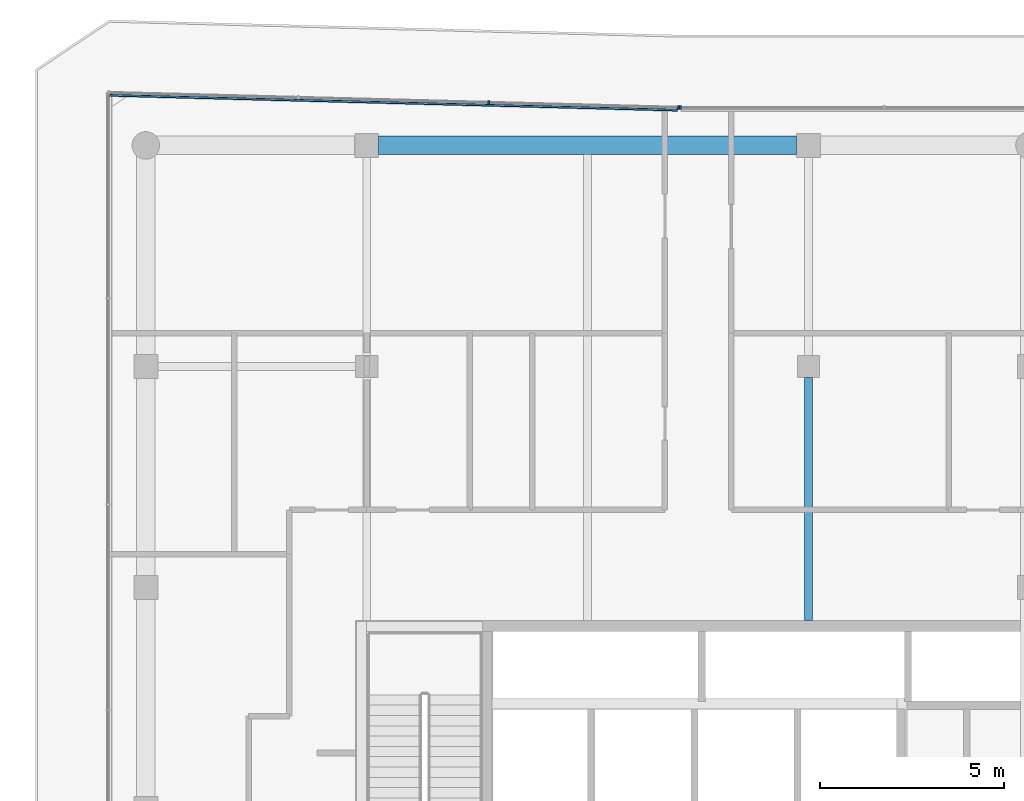
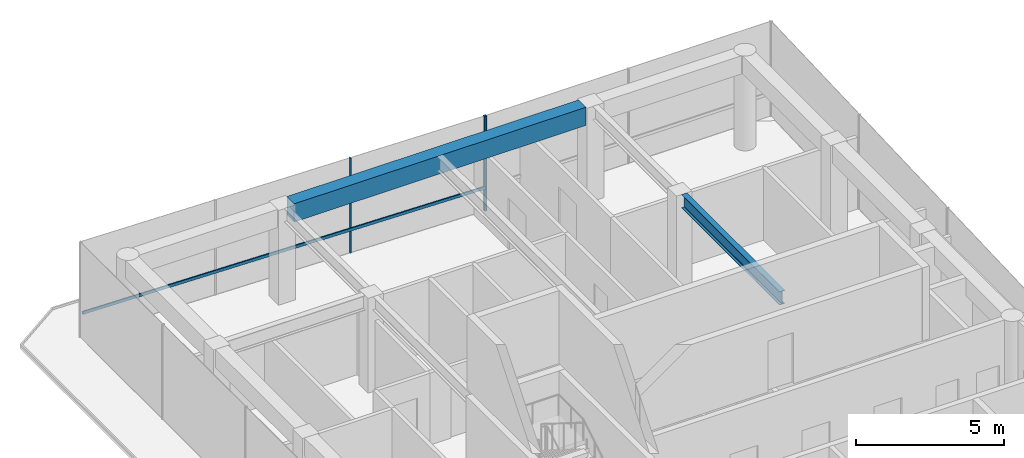
# One storey, part 8 of 15: 4 members, 2 beams, 2 elements without a shape of their own.
"""IFC4 building model written with IfcOpenShell, lengths in metres."""

from ifc_helpers import new_model, si_unit, direction, frame, origin, origin_2d, place, context, subcontext, project, spatial, rectangle, i_section, extrude, material, layer, layer_set, material_profile, profile_set, type_object, element, aggregate, save


model = new_model("IFC4")

# Units and contexts
model_context = context("Model", 3, precision=1e-05, world=origin(), true_north=direction((0.0, 1.0)))
body_context = subcontext(model_context, "Body", "Model", "MODEL_VIEW")
ifc_project = project(units=[si_unit("LENGTHUNIT", "METRE"), si_unit("AREAUNIT", "SQUARE_METRE"), si_unit("VOLUMEUNIT", "CUBIC_METRE"), si_unit("PLANEANGLEUNIT", "RADIAN"), si_unit("MASSUNIT", "GRAM", prefix="KILO")], contexts=[model_context])

# Site, building, storey
site_placement = place(None, origin())
site = spatial("IfcSite", under=ifc_project, at=site_placement, CompositionType="ELEMENT")
building_placement = place(site_placement, origin())
building = spatial("IfcBuilding", under=site, at=building_placement, Name="Welwitschia Terrace Campus", CompositionType="ELEMENT")
storey_placement = place(building_placement, frame((0.0, 0.0, 339.800048828125)))
storey = spatial("IfcBuildingStorey", under=building, at=storey_placement, Name="L76", CompositionType="ELEMENT", Elevation=339.800048828125)

# Beam
ifc_material_1 = material(Name="Steel S355", Category="steel")
ifc_material_profile_1 = material_profile(ifc_material_1, i_section(OverallWidth=0.2099609375, OverallDepth=0.550048828125, WebThickness=0.010986328125, FlangeThickness=0.01708984375, FilletRadius=0.02392578125, at=origin_2d()))
ifc_profile_set_1 = profile_set([ifc_material_profile_1], Name="Steel S355")
beam_type_1 = type_object("IfcBeamType", Name="Interior girder IPE 550", PredefinedType="BEAM", material=ifc_profile_set_1)
beam_1_placement = place(storey_placement, frame((18.0, 25.10107421875, 3.625), z_axis=(0.0, 1.0, 0.0), x_axis=(-1.0, 0.0, 0.0)))
element("IfcBeam", 1, at=beam_1_placement, inside=storey, type_object=beam_type_1, Name="Girder GB7", PredefinedType="BEAM", context=body_context, shape_type="SweptSolid", body=[
    extrude(i_section(OverallWidth=0.2099609375, OverallDepth=0.550048828125, WebThickness=0.010986328125, FlangeThickness=0.01708984375, FilletRadius=0.02392578125, at=origin_2d()), origin(), (0.0, 0.0, 1.0), 6.598388671875),
])

# Curtain wall, member
ifc_material_2 = material(Name="Bronze anodised aluminium", Category="aluminium")
ifc_layer = layer(ifc_material_2, 0.10009765625)
ifc_layer_set = layer_set([ifc_layer], Name="Bronze anodised aluminium")
curtain_wall_type = type_object("IfcCurtainWallType", Name="Curtain wall CW5 crown 6000", PredefinedType="NOTDEFINED", material=ifc_layer_set)
curtain_wall_1_placement = place(storey_placement, origin())
curtain_wall_1 = element("IfcCurtainWall", 2, at=curtain_wall_1_placement, inside=storey, type_object=curtain_wall_type, Name="CW L76.8.0", PredefinedType="NOTDEFINED")
ifc_material_3 = material(Name="Bronze anodised aluminium", Category="aluminium")
ifc_material_profile_2 = material_profile(ifc_material_3, rectangle(XDim=0.10009765625, YDim=0.050048828125, at=origin_2d()))
ifc_profile_set_2 = profile_set([ifc_material_profile_2], Name="Bronze anodised aluminium")
member_type_1 = type_object("IfcMemberType", Name="Mullion 50x100", PredefinedType="MULLION", material=ifc_profile_set_2)
member_1_placement = place(storey_placement, frame((14.51513671875, 39.030029296875, 0.0), z_axis=(0.0, 0.0, 1.0), x_axis=(0.0, -1.0, 0.0)))
member_1 = element("IfcMember", 3, at=member_1_placement, type_object=member_type_1, Name="Mullion L76.8.0.2", PredefinedType="MULLION", context=body_context, shape_type="SweptSolid", body=[
    extrude(rectangle(XDim=0.10009765625, YDim=0.050048828125, at=origin_2d()), origin(), (0.0, 0.0, 1.0), 3.89990234375),
])
aggregate(curtain_wall_1, [member_1])

# Curtain wall, members
curtain_wall_2_placement = place(storey_placement, origin())
curtain_wall_2 = element("IfcCurtainWall", 4, at=curtain_wall_2_placement, inside=storey, type_object=curtain_wall_type, Name="CW L76.9.0", PredefinedType="NOTDEFINED")
member_2_placement = place(storey_placement, frame((14.465087890625, 39.03076171875, 0.0), z_axis=(0.0, 0.0, 1.0), x_axis=(-0.026176948308, -0.999657324976, 0.0)))
member_2 = element("IfcMember", 5, at=member_2_placement, type_object=member_type_1, Name="Mullion L76.9.0.0", PredefinedType="MULLION", context=body_context, shape_type="SweptSolid", body=[
    extrude(rectangle(XDim=0.10009765625, YDim=0.050048828125, at=origin_2d()), origin(), (0.0, 0.0, 1.0), 3.89990234375),
])
member_3_placement = place(storey_placement, frame((9.316650390625, 39.16552734375, 0.0), z_axis=(0.0, 0.0, 1.0), x_axis=(-0.026176948308, -0.999657324976, 0.0)))
member_3 = element("IfcMember", 6, at=member_3_placement, type_object=member_type_1, Name="Mullion L76.9.0.1", PredefinedType="MULLION", context=body_context, shape_type="SweptSolid", body=[
    extrude(rectangle(XDim=0.10009765625, YDim=0.050048828125, at=origin_2d()), origin(), (0.0, 0.0, 1.0), 3.89990234375),
])

# Beam
ifc_material_4 = material(Name="Concrete C40/50", Category="concrete")
ifc_material_profile_3 = material_profile(ifc_material_4, rectangle(XDim=0.5, YDim=0.75, at=origin_2d()))
ifc_profile_set_3 = profile_set([ifc_material_profile_3], Name="Concrete C40/50")
beam_type_2 = type_object("IfcBeamType", Name="Ring spandrel 500x750", PredefinedType="SPANDREL", material=ifc_profile_set_3)
beam_2_placement = place(storey_placement, frame((17.674560546875, 38.0, 3.52490234375), z_axis=(-1.0, 0.0, 0.0), x_axis=(0.0, -1.0, 0.0)))
element("IfcBeam", 7, at=beam_2_placement, inside=storey, type_object=beam_type_2, Name="Spandrel SP5", PredefinedType="SPANDREL", context=body_context, shape_type="SweptSolid", body=[
    extrude(rectangle(XDim=0.5, YDim=0.75, at=origin_2d()), origin(), (0.0, 0.0, 1.0), 11.34912109375),
])

# Member
ifc_material_5 = material(Name="Bronze anodised aluminium", Category="aluminium")
ifc_material_profile_4 = material_profile(ifc_material_5, rectangle(XDim=0.050048828125, YDim=0.1201171875, at=origin_2d()))
ifc_profile_set_4 = profile_set([ifc_material_profile_4], Name="Bronze anodised aluminium")
member_type_2 = type_object("IfcMemberType", Name="Transom 50x120", PredefinedType="USERDEFINED", material=ifc_profile_set_4)
member_4_placement = place(storey_placement, frame((14.438232421875, 38.956298828125, 1.0), z_axis=(-0.999657295566, 0.026178071387, 0.0), x_axis=(-0.026178071387, -0.999657295566, 0.0)))
member_4 = element("IfcMember", 8, at=member_4_placement, type_object=member_type_2, Name="Transom L76.9.0", ObjectType="TRANSOM", PredefinedType="USERDEFINED", context=body_context, shape_type="SweptSolid", body=[
    extrude(rectangle(XDim=0.050048828125, YDim=0.1201171875, at=origin_2d()), origin(), (0.0, 0.0, 1.0), 15.425537109375),
])

aggregate(curtain_wall_2, [member_2, member_3, member_4])

save(model, "model.ifc")
